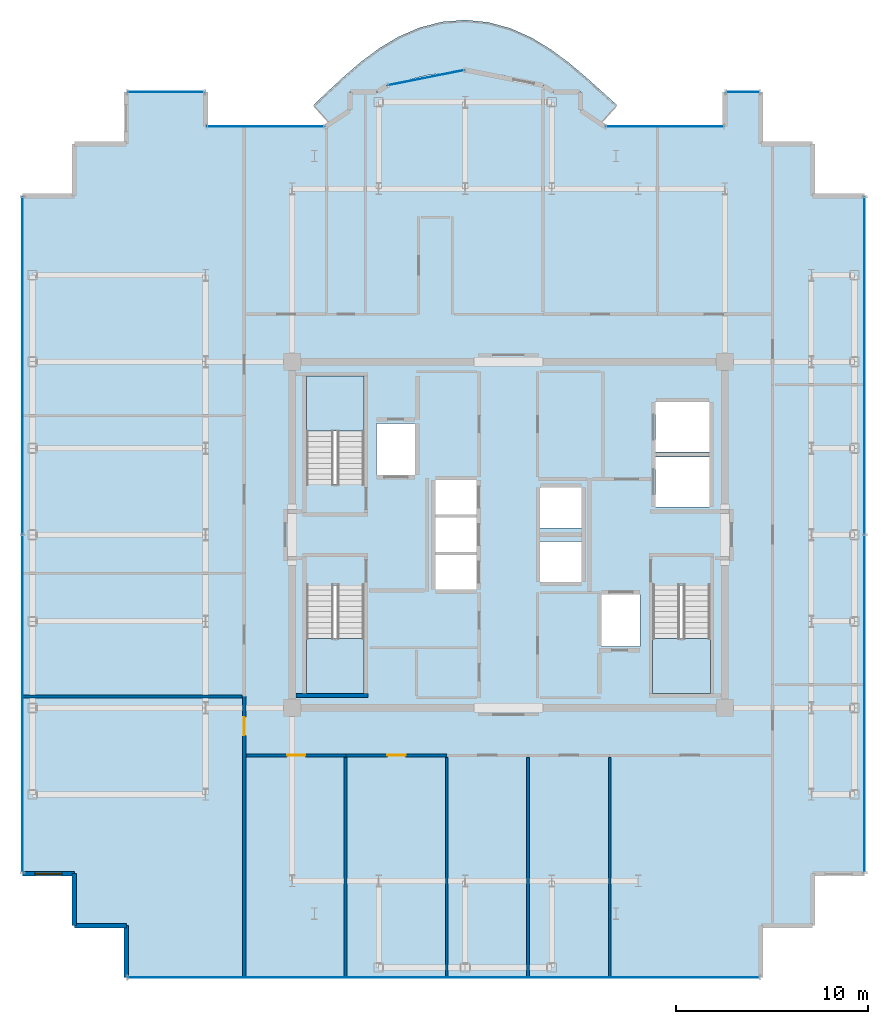
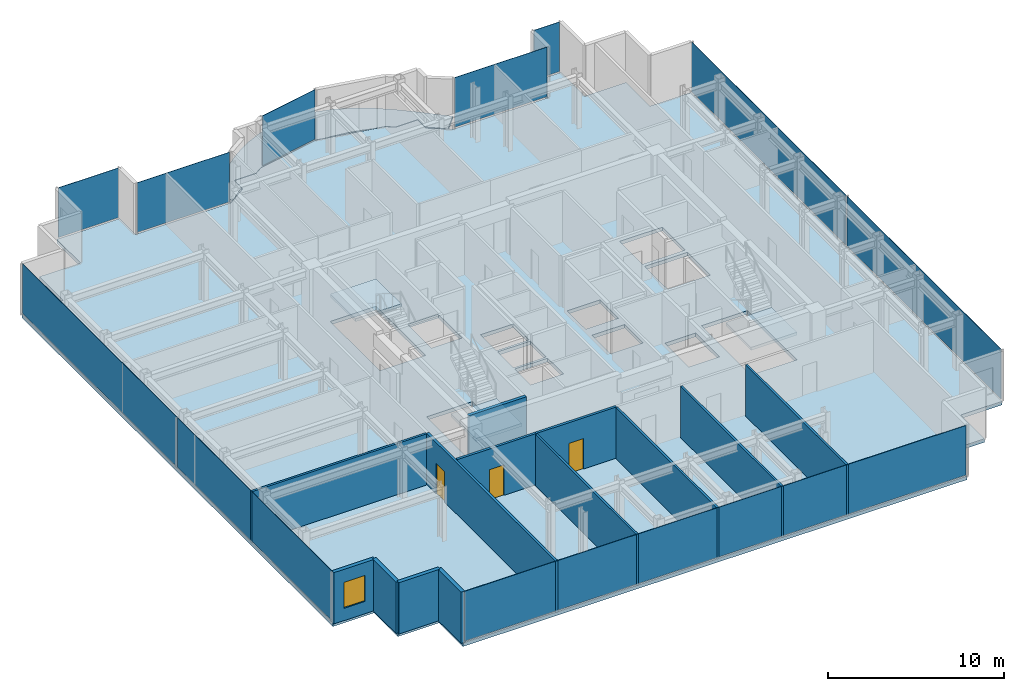
# One storey, part 12 of 18: 13 walls, 10 plates, 5 slabs, 3 doors, 1 window, 4 openings, 11 elements without a shape of their own.
"""IFC4 building model written with IfcOpenShell, lengths in metres."""

import ifcopenshell
import ifcopenshell.guid

model = None  # the IFC model being written
_history = None  # IfcOwnerHistory: only IFC2X3 demands one
_inside = {}  # id of a spatial element -> (the spatial element, [elements in it])
_under = {}  # id of a project, library or spatial element -> (it, [spatial elements below it])
_declared = {}  # id of a project -> (the project, [libraries it declares])
_typed = {}  # id of a type object -> (the type object, [elements of that type])
_made_of = {}  # id of a material, layer set ... -> (it, [elements and type objects made of it])


def new_model(schema):
    """Start an empty IFC model of exactly this schema.

    Asked for "IFC4X3", IfcOpenShell would pick the latest addendum, in which some entities
    have other attributes; the version numbers below select the first issue.
    IFC2X3 requires an IfcOwnerHistory on every rooted entity: one is made here for all.
    """
    global model, _history
    if schema == "IFC4X3":
        model = ifcopenshell.file(schema_version=(4, 3, 0, 0))
    else:
        model = ifcopenshell.file(schema=schema)
    _inside.clear()
    _under.clear()
    _declared.clear()
    _typed.clear()
    _made_of.clear()
    _history = None
    if model.schema == "IFC2X3":
        org = make("IfcOrganization", Name="unknown")
        user = make(
            "IfcPersonAndOrganization",
            ThePerson=make("IfcPerson", FamilyName="unknown"),
            TheOrganization=org,
        )
        app = make(
            "IfcApplication",
            ApplicationDeveloper=org,
            Version="unknown",
            ApplicationFullName="unknown",
            ApplicationIdentifier="unknown",
        )
        _history = make(
            "IfcOwnerHistory",
            OwningUser=user,
            OwningApplication=app,
            ChangeAction="ADDED",
            CreationDate=0,
        )
    return model


def make(cls, **values):
    """One entity of the class cls with the attributes given. An attribute that is None is left unset."""
    return model.create_entity(
        cls, **{name: value for name, value in values.items() if value is not None}
    )


def rooted(cls, **values):
    """An entity with a GlobalId (a new one), such as an element, a storey or a relation."""
    return make(cls, GlobalId=ifcopenshell.guid.new(), OwnerHistory=_history, **values)


def si_unit(unit_type, name, prefix=None):
    """IfcSIUnit, for example si_unit("LENGTHUNIT", "METRE", prefix="MILLI")."""
    return make("IfcSIUnit", UnitType=unit_type, Prefix=prefix, Name=name)


def assignment(units):
    """IfcUnitAssignment: the units of a project."""
    return None if units is None else make("IfcUnitAssignment", Units=units)


def point(xyz):
    """IfcCartesianPoint."""
    return None if xyz is None else make("IfcCartesianPoint", Coordinates=xyz)


def direction(xyz):
    """IfcDirection."""
    return None if xyz is None else make("IfcDirection", DirectionRatios=xyz)


def frame(location, z_axis=None, x_axis=None):
    """IfcAxis2Placement3D, a coordinate frame: its origin and axes. An axis left out is left unset."""
    return make(
        "IfcAxis2Placement3D",
        Location=point(location),
        Axis=direction(z_axis),
        RefDirection=direction(x_axis),
    )


def frame_2d(location, x_axis=None):
    """IfcAxis2Placement2D, a coordinate frame in the plane: its origin and x axis."""
    return make(
        "IfcAxis2Placement2D", Location=point(location), RefDirection=direction(x_axis)
    )


def origin():
    """The frame at (0, 0, 0) with its axes left unset."""
    return frame((0.0, 0.0, 0.0))


def origin_2d():
    """The frame at (0, 0) in the plane with its x axis left unset."""
    return frame_2d((0.0, 0.0))


def place(relative_to, where):
    """IfcLocalPlacement: puts the frame where relative to a parent placement (None: the world)."""
    return make(
        "IfcLocalPlacement", PlacementRelTo=relative_to, RelativePlacement=where
    )


def context(
    kind, dimensions, precision=None, world=None, true_north=None, identifier=None
):
    """IfcGeometricRepresentationContext, for example the 3D "Model" context."""
    return make(
        "IfcGeometricRepresentationContext",
        ContextIdentifier=identifier,
        ContextType=kind,
        CoordinateSpaceDimension=dimensions,
        Precision=precision,
        WorldCoordinateSystem=world,
        TrueNorth=true_north,
    )


def subcontext(parent, identifier, kind, view, scale=None):
    """IfcGeometricRepresentationSubContext, for example "Body" below "Model"."""
    return make(
        "IfcGeometricRepresentationSubContext",
        ContextIdentifier=identifier,
        ContextType=kind,
        ParentContext=parent,
        TargetScale=scale,
        TargetView=view,
    )


def project(units=None, contexts=None):
    """IfcProject with its units and contexts."""
    return rooted(
        "IfcProject",
        Name="project",
        RepresentationContexts=contexts,
        UnitsInContext=assignment(units),
    )


def spatial(cls, under=None, at=None, **own):
    """A site, building, storey or space (cls), placed at a placement, below another one or the project."""
    s = rooted(cls, ObjectPlacement=at, **own)
    if under is not None:
        _under.setdefault(under.id(), (under, []))[1].append(s)
    return s


def polyline(points):
    """IfcPolyline through the points."""
    return make("IfcPolyline", Points=[point(p) for p in points])


def profile(cls, at=None, kind="AREA", **sizes):
    """A parametric profile (cls). Its sizes go by their IFC names, for example OverallWidth=200.0."""
    return make(cls, ProfileType=kind, Position=at, **sizes)


def rectangle(**sizes):
    """IfcRectangleProfileDef."""
    return profile("IfcRectangleProfileDef", **sizes)


def outline(outer, holes=None, kind="AREA"):
    """IfcArbitraryClosedProfileDef: a profile drawn as a closed curve; with holes, ...WithVoids."""
    if holes is None:
        return make("IfcArbitraryClosedProfileDef", ProfileType=kind, OuterCurve=outer)
    return make(
        "IfcArbitraryProfileDefWithVoids",
        ProfileType=kind,
        OuterCurve=outer,
        InnerCurves=holes,
    )


def extrude(swept, where, along, depth):
    """IfcExtrudedAreaSolid: the profile swept, set in the frame where, extruded along a direction by depth."""
    return make(
        "IfcExtrudedAreaSolid",
        SweptArea=swept,
        Position=where,
        ExtrudedDirection=direction(along),
        Depth=depth,
    )


def shape(context_of_items, identifier, shape_type, items):
    """IfcShapeRepresentation: the items that make up one representation, for example the "Body"."""
    return make(
        "IfcShapeRepresentation",
        ContextOfItems=context_of_items,
        RepresentationIdentifier=identifier,
        RepresentationType=shape_type,
        Items=items,
    )


def source(mapping_origin, context_of_items, identifier, shape_type, items):
    """IfcRepresentationMap: a shape defined once, which mapped items show again and again."""
    return make(
        "IfcRepresentationMap",
        MappingOrigin=mapping_origin,
        MappedRepresentation=shape(context_of_items, identifier, shape_type, items),
    )


def transform(
    local_origin,
    x_axis=None,
    y_axis=None,
    z_axis=None,
    scale=None,
    scale2=None,
    scale3=None,
    uniform=True,
):
    """IfcCartesianTransformationOperator3D, or its non-uniform kind. x_axis, y_axis, z_axis: its Axis1, 2, 3."""
    if uniform:
        return make(
            "IfcCartesianTransformationOperator3D",
            Axis1=direction(x_axis),
            Axis2=direction(y_axis),
            LocalOrigin=point(local_origin),
            Scale=scale,
            Axis3=direction(z_axis),
        )
    return make(
        "IfcCartesianTransformationOperator3DnonUniform",
        Axis1=direction(x_axis),
        Axis2=direction(y_axis),
        LocalOrigin=point(local_origin),
        Scale=scale,
        Axis3=direction(z_axis),
        Scale2=scale2,
        Scale3=scale3,
    )


def mapped(mapping_source, mapping_target):
    """IfcMappedItem: shows the shape of a source again, moved by a transform."""
    return make(
        "IfcMappedItem", MappingSource=mapping_source, MappingTarget=mapping_target
    )


def material(Name=None, Category=None):
    """IfcMaterial."""
    return make("IfcMaterial", Name=Name, Category=Category)


def layer(
    of_material, thickness, ventilated=None, Name=None, Category=None, Priority=None
):
    """IfcMaterialLayer: one layer of a wall or slab, of a material (None: an air gap)."""
    return make(
        "IfcMaterialLayer",
        Material=of_material,
        LayerThickness=thickness,
        IsVentilated=ventilated,
        Name=Name,
        Category=Category,
        Priority=Priority,
    )


def layer_set(layers, Name=None):
    """IfcMaterialLayerSet."""
    return make("IfcMaterialLayerSet", MaterialLayers=layers, LayerSetName=Name)


def made_of(thing, what):
    """Note that an element or type object is made of a material, layer set ...; save() writes the relation."""
    if what is not None:
        _made_of.setdefault(what.id(), (what, []))[1].append(thing)
    return thing


def type_object(cls, material=None, **own):
    """A type object (cls), such as IfcWallType, which elements share."""
    return made_of(rooted(cls, **own), material)


def element(
    cls,
    number,
    at=None,
    inside=None,
    cuts=None,
    type_object=None,
    material=None,
    context=None,
    identifier="Body",
    shape_type=None,
    held_by="IfcProductDefinitionShape",
    body=None,
    shapes=None,
    **own,
):
    """One element of the class cls, such as IfcWall. Its Tag is "e" and its number.

    at: its placement. inside: the storey or other place that contains it. cuts: it is an
    opening in that element (IfcRelVoidsElement). A single representation is given by context,
    identifier, shape_type and body (its items); several are given by shapes. held_by: the class
    of the entity that holds the representations. save() writes the other relations.
    """
    e = rooted(cls, Tag="e%d" % number, ObjectPlacement=at, **own)
    if body is not None:
        shapes = [shape(context, identifier, shape_type, body)]
    if shapes is not None:
        e.Representation = make(held_by, Representations=shapes)
    if inside is not None:
        _inside.setdefault(inside.id(), (inside, []))[1].append(e)
    if cuts is not None:
        rooted(
            "IfcRelVoidsElement", RelatingBuildingElement=cuts, RelatedOpeningElement=e
        )
    if type_object is not None:
        _typed.setdefault(type_object.id(), (type_object, []))[1].append(e)
    return made_of(e, material)


def fill(opening, filler):
    """IfcRelFillsElement: the door or window that sits in an opening."""
    return rooted(
        "IfcRelFillsElement",
        RelatingOpeningElement=opening,
        RelatedBuildingElement=filler,
    )


def aggregate(whole, parts):
    """IfcRelAggregates: a whole, such as a stair, and the parts it consists of."""
    return rooted("IfcRelAggregates", RelatingObject=whole, RelatedObjects=parts)


def save(model, path):
    """Write the relations noted so far, then the file.

    IfcRelAggregates (storeys below a building ...), IfcRelContainedInSpatialStructure (elements
    in a storey), IfcRelDefinesByType, IfcRelAssociatesMaterial and IfcRelDeclares: one each for
    every whole, place, type object, material and project.
    """
    for whole, parts in _under.values():
        aggregate(whole, parts)
    for where, things in _inside.values():
        rooted(
            "IfcRelContainedInSpatialStructure",
            RelatedElements=things,
            RelatingStructure=where,
        )
    for kind, things in _typed.values():
        rooted("IfcRelDefinesByType", RelatedObjects=things, RelatingType=kind)
    for what, things in _made_of.values():
        rooted("IfcRelAssociatesMaterial", RelatedObjects=things, RelatingMaterial=what)
    for by, libraries in _declared.values():
        rooted("IfcRelDeclares", RelatingContext=by, RelatedDefinitions=libraries)
    model.write(path)


model = new_model("IFC4")

# Units and contexts
model_context = context("Model", 3, precision=1e-05, world=origin(), true_north=direction((0.0, 1.0)))
body_context = subcontext(model_context, "Body", "Model", "MODEL_VIEW")
ifc_project = project(units=[si_unit("LENGTHUNIT", "METRE"), si_unit("AREAUNIT", "SQUARE_METRE"), si_unit("VOLUMEUNIT", "CUBIC_METRE"), si_unit("PLANEANGLEUNIT", "RADIAN"), si_unit("MASSUNIT", "GRAM", prefix="KILO")], contexts=[model_context])

# Site, building, storey
site_placement = place(None, origin())
site = spatial("IfcSite", under=ifc_project, at=site_placement, CompositionType="ELEMENT")
building_placement = place(site_placement, origin())
building = spatial("IfcBuilding", under=site, at=building_placement, Name="Nefas-Gora Pilgrimage Tower", CompositionType="ELEMENT")
storey_placement = place(building_placement, frame((0.0, 0.0, 326.199951171875)))
storey = spatial("IfcBuildingStorey", under=building, at=storey_placement, Name="L82", CompositionType="ELEMENT", Elevation=326.199951171875)

# Slabs
ifc_material_1 = material(Name="Concrete C40/50", Category="concrete")
ifc_layer_1 = layer(ifc_material_1, 0.219970703125)
ifc_layer_set_1 = layer_set([ifc_layer_1], Name="Concrete C40/50")
slab_type_1 = type_object("IfcSlabType", Name="SLB-BAL-P6", PredefinedType="FLOOR", material=ifc_layer_set_1)
slab_1_placement = place(storey_placement, frame((0.0, 0.0, -0.219970703125)))
element("IfcSlab", 1, at=slab_1_placement, inside=storey, type_object=slab_type_1, Name="L82 Sinusoidal Lobe Balcony Slab N (Phase 6)", PredefinedType="FLOOR", context=body_context, shape_type="SweptSolid", body=[
    extrude(outline(polyline([(-9.28759765625, 21.385986328125), (-9.224609375, 21.427978515625), (-8.538330078125, 21.9912109375), (-8.260009765625, 22.179931640625), (-8.260009765625, 23.02001953125), (-8.260009765625, 23.02099609375), (-8.259765625, 23.02197265625), (-8.259521484375, 23.02294921875), (-8.25927734375, 23.023681640625), (-8.2587890625, 23.024658203125), (-8.25830078125, 23.025634765625), (-8.2578125, 23.0263671875), (-8.257080078125, 23.027099609375), (-8.25634765625, 23.027587890625), (-8.255615234375, 23.0283203125), (-8.254638671875, 23.02880859375), (-8.25390625, 23.029296875), (-8.2529296875, 23.029541015625), (-8.251953125, 23.02978515625), (-8.2509765625, 23.030029296875), (-8.25, 23.030029296875), (-6.8271484375, 23.030029296875), (-6.31298828125, 23.37353515625), (-6.31201171875, 23.3740234375), (-6.311279296875, 23.37451171875), (-6.310302734375, 23.375), (-6.309326171875, 23.375), (-5.63037109375, 23.51025390625), (-5.102783203125, 23.685302734375), (-4.165283203125, 23.904052734375), (-3.211669921875, 24.035888671875), (-2.919921875, 24.04931640625), (-2.251953125, 24.18212890625), (-2.2509765625, 24.182373046875), (-2.25, 24.182373046875), (-2.2490234375, 24.182373046875), (-2.248046875, 24.18212890625), (-1.580078125, 24.04931640625), (-1.288330078125, 24.035888671875), (-0.334716796875, 23.904052734375), (0.602783203125, 23.685302734375), (1.13037109375, 23.51025390625), (1.809326171875, 23.375), (1.810302734375, 23.375), (1.811279296875, 23.37451171875), (1.81201171875, 23.3740234375), (1.81298828125, 23.37353515625), (2.3271484375, 23.030029296875), (3.75, 23.030029296875), (3.7509765625, 23.030029296875), (3.751953125, 23.02978515625), (3.7529296875, 23.029541015625), (3.75390625, 23.029296875), (3.754638671875, 23.02880859375), (3.755615234375, 23.0283203125), (3.75634765625, 23.027587890625), (3.757080078125, 23.027099609375), (3.7578125, 23.0263671875), (3.75830078125, 23.025634765625), (3.7587890625, 23.024658203125), (3.75927734375, 23.023681640625), (3.759521484375, 23.02294921875), (3.759765625, 23.02197265625), (3.760009765625, 23.02099609375), (3.760009765625, 23.02001953125), (3.760009765625, 22.179931640625), (4.038330078125, 21.9912109375), (4.724609375, 21.427978515625), (4.78759765625, 21.385986328125), (5.645751953125, 22.339111328125), (4.84130859375, 23.06640625), (4.02001953125, 23.801513671875), (3.15576171875, 24.53173828125), (2.224365234375, 25.226318359375), (1.211181640625, 25.84228515625), (0.115234375, 26.33203125), (-1.048095703125, 26.6513671875), (-2.25, 26.769287109375), (-3.4541015625, 26.67333984375), (-4.622802734375, 26.3720703125), (-5.7255859375, 25.8935546875), (-6.7451171875, 25.280517578125), (-7.6796875, 24.580322265625), (-8.5419921875, 23.837646484375), (-9.355712890625, 23.085693359375), (-10.1474609375, 22.3408203125), (-9.28759765625, 21.385986328125)])), origin(), (0.0, 0.0, 1.0), 0.219970703125),
])
ifc_layer_2 = layer(ifc_material_1, 0.25)
ifc_layer_set_2 = layer_set([ifc_layer_2], Name="Concrete C40/50")
slab_type_2 = type_object("IfcSlabType", Name="SLB-TWR-260", PredefinedType="FLOOR", material=ifc_layer_set_2)
slab_2_placement = place(storey_placement, frame((0.0, 0.0, -0.25)))
element("IfcSlab", 2, at=slab_2_placement, inside=storey, type_object=slab_type_2, Name="L82 Structural Floor Slab", PredefinedType="FLOOR", context=body_context, shape_type="SweptSolid", body=[
    extrude(outline(polyline([(15.820068359375, -17.6201171875), (18.52001953125, -17.6201171875), (18.52001953125, 17.6201171875), (15.820068359375, 17.6201171875), (15.820068359375, 20.320068359375), (13.1201171875, 20.320068359375), (13.1201171875, 23.02001953125), (11.25, 23.02001953125), (11.25, 21.219970703125), (5.01806640625, 21.219970703125), (3.75, 22.0673828125), (3.75, 23.02001953125), (2.32421875, 23.02001953125), (1.807373046875, 23.365234375), (-2.25, 24.17236328125), (-6.307373046875, 23.365234375), (-6.82421875, 23.02001953125), (-8.25, 23.02001953125), (-8.25, 22.0673828125), (-9.51806640625, 21.219970703125), (-15.75, 21.219970703125), (-15.75, 23.02001953125), (-19.8701171875, 23.02001953125), (-19.8701171875, 20.320068359375), (-22.570068359375, 20.320068359375), (-22.570068359375, 17.6201171875), (-25.27001953125, 17.6201171875), (-25.27001953125, -17.6201171875), (-22.570068359375, -17.6201171875), (-22.570068359375, -20.320068359375), (-19.8701171875, -20.320068359375), (-19.8701171875, -23.02001953125), (13.1201171875, -23.02001953125), (13.1201171875, -20.320068359375), (15.820068359375, -20.320068359375), (15.820068359375, -17.6201171875)]), holes=[polyline([(-10.5, 2.639892578125), (-10.5, 8.25), (-7.5, 8.25), (-7.5, 2.639892578125), (-10.5, 2.639892578125)]), polyline([(10.5, -2.639892578125), (10.5, -8.25), (7.5, -8.25), (7.5, -2.639892578125), (10.5, -2.639892578125)]), polyline([(-7.5, -2.639892578125), (-7.5, -8.25), (-10.5, -8.25), (-10.5, -2.639892578125), (-7.5, -2.639892578125)]), polyline([(-6.85009765625, 5.800048828125), (-4.85009765625, 5.800048828125), (-4.85009765625, 3.10009765625), (-6.85009765625, 3.10009765625), (-6.85009765625, 5.800048828125)]), polyline([(4.85009765625, -3.10009765625), (6.85009765625, -3.10009765625), (6.85009765625, -5.800048828125), (4.85009765625, -5.800048828125), (4.85009765625, -3.10009765625)]), polyline([(7.64990234375, 4.050048828125), (10.449951171875, 4.050048828125), (10.449951171875, 1.449951171875), (7.64990234375, 1.449951171875), (7.64990234375, 4.050048828125)]), polyline([(7.64990234375, 6.89990234375), (10.449951171875, 6.89990234375), (10.449951171875, 4.300048828125), (7.64990234375, 4.300048828125), (7.64990234375, 6.89990234375)]), polyline([(-3.800048828125, -1.050048828125), (-1.64990234375, -1.050048828125), (-1.64990234375, -2.85009765625), (-3.800048828125, -2.85009765625), (-3.800048828125, -1.050048828125)]), polyline([(-3.800048828125, 0.89990234375), (-1.64990234375, 0.89990234375), (-1.64990234375, -0.89990234375), (-3.800048828125, -0.89990234375), (-3.800048828125, 0.89990234375)]), polyline([(-3.800048828125, 2.85009765625), (-1.64990234375, 2.85009765625), (-1.64990234375, 1.050048828125), (-3.800048828125, 1.050048828125), (-3.800048828125, 2.85009765625)]), polyline([(1.64990234375, -0.35009765625), (3.800048828125, -0.35009765625), (3.800048828125, -2.449951171875), (1.64990234375, -2.449951171875), (1.64990234375, -0.35009765625)]), polyline([(1.64990234375, 2.449951171875), (3.800048828125, 2.449951171875), (3.800048828125, 0.35009765625), (1.64990234375, 0.35009765625), (1.64990234375, 2.449951171875)])]), origin(), (0.0, 0.0, 1.0), 0.25),
])

# Stair, slab
ifc_material_2 = material(Name="Concrete C45/55", Category="concrete")
stair_type = type_object("IfcStairType", Name="STR-1400-R1727", PredefinedType="HALF_TURN_STAIR", material=ifc_material_2)
stair_1_placement = place(storey_placement, origin())
stair_1 = element("IfcStair", 3, at=stair_1_placement, inside=storey, type_object=stair_type, Name="L82 Pressurised Tower Exit Stair ST-01", PredefinedType="HALF_TURN_STAIR")
ifc_layer_3 = layer(ifc_material_1, 0.199951171875)
ifc_layer_set_3 = layer_set([ifc_layer_3], Name="Concrete C40/50")
slab_type_3 = type_object("IfcSlabType", Name="STR-LAND-200", PredefinedType="LANDING", material=ifc_layer_set_3)
slab_3_placement = place(storey_placement, frame((0.0, 0.0, 1.699951171875)))
slab_3 = element("IfcSlab", 4, at=slab_3_placement, type_object=slab_type_3, Name="ST-01 landing 1", PredefinedType="LANDING", context=body_context, shape_type="SweptSolid", body=[
    extrude(outline(polyline([(-7.5, 5.39990234375), (-7.5, 8.25), (-10.5, 8.25), (-10.5, 5.39990234375), (-7.5, 5.39990234375)])), origin(), (0.0, 0.0, 1.0), 0.2001953125),
])
aggregate(stair_1, [slab_3])

stair_2_placement = place(storey_placement, origin())
stair_2 = element("IfcStair", 5, at=stair_2_placement, inside=storey, type_object=stair_type, Name="L82 Pressurised Tower Exit Stair ST-02", PredefinedType="HALF_TURN_STAIR")
slab_4_placement = place(storey_placement, frame((0.0, 0.0, 1.699951171875)))
slab_4 = element("IfcSlab", 6, at=slab_4_placement, type_object=slab_type_3, Name="ST-02 landing 1", PredefinedType="LANDING", context=body_context, shape_type="SweptSolid", body=[
    extrude(outline(polyline([(7.5, -5.39990234375), (7.5, -8.25), (10.5, -8.25), (10.5, -5.39990234375), (7.5, -5.39990234375)])), origin(), (0.0, 0.0, 1.0), 0.2001953125),
])
aggregate(stair_2, [slab_4])

stair_3_placement = place(storey_placement, origin())
stair_3 = element("IfcStair", 7, at=stair_3_placement, inside=storey, type_object=stair_type, Name="L82 Pressurised Tower Exit Stair ST-03", PredefinedType="HALF_TURN_STAIR")
slab_5_placement = place(storey_placement, frame((0.0, 0.0, 1.699951171875)))
slab_5 = element("IfcSlab", 8, at=slab_5_placement, type_object=slab_type_3, Name="ST-03 landing 1", PredefinedType="LANDING", context=body_context, shape_type="SweptSolid", body=[
    extrude(outline(polyline([(-10.5, -5.39990234375), (-10.5, -8.25), (-7.5, -8.25), (-7.5, -5.39990234375), (-10.5, -5.39990234375)])), origin(), (0.0, 0.0, 1.0), 0.2001953125),
])
aggregate(stair_3, [slab_5])

# Curtain wall, plate
ifc_material_3 = material(Name="Dark ceramic-fritted solar-control aluminium-glass curtain wall", Category="aluminium")
ifc_layer_4 = layer(ifc_material_3, 0.219970703125)
ifc_layer_set_4 = layer_set([ifc_layer_4], Name="Dark ceramic-fritted solar-control aluminium-glass curtain wall")
curtain_wall_type_1 = type_object("IfcCurtainWallType", Name="CW-SYS-5", PredefinedType="NOTDEFINED", material=ifc_layer_set_4)
curtain_wall_1_placement = place(storey_placement, origin())
curtain_wall_1 = element("IfcCurtainWall", 9, at=curtain_wall_1_placement, inside=storey, type_object=curtain_wall_type_1, Name="L82 Unitised Curtain Wall CW5", PredefinedType="NOTDEFINED")
ifc_material_4 = material(Name="Dark ceramic-printed low-e insulated glass", Category="glass")
ifc_layer_5 = layer(ifc_material_4, 0.028076171875)
ifc_layer_set_5 = layer_set([ifc_layer_5], Name="Dark ceramic-printed low-e insulated glass")
plate_type_1 = type_object("IfcPlateType", Name="CWP-PNL-5", PredefinedType="CURTAIN_PANEL", material=ifc_layer_set_5)
shared_shape_1 = source(origin(), body_context, "Body", "SweptSolid", [
    extrude(rectangle(XDim=6.052001953125, YDim=0.028076171875, at=origin_2d()), origin(), (0.0, 0.0, 1.0), 3.43994140625),
])
plate_1_placement = place(storey_placement, frame((8.134033203125, 21.219970703125, 0.10009765625), z_axis=(0.0, 0.0, 1.0), x_axis=(-1.0, 0.0, 0.0)))
plate_1 = element("IfcPlate", 10, at=plate_1_placement, type_object=plate_type_1, Name="CW5 Ceramic-Fritted Glazing Panel 1", PredefinedType="CURTAIN_PANEL", context=body_context, shape_type="MappedRepresentation", body=[
    mapped(shared_shape_1, transform((0.0, 0.0, 0.0), x_axis=(1.0, 0.0, 0.0), y_axis=(0.0, 1.0, 0.0), z_axis=(0.0, 0.0, 1.0), scale=1.0)),
])
aggregate(curtain_wall_1, [plate_1])

curtain_wall_2_placement = place(storey_placement, origin())
curtain_wall_2 = element("IfcCurtainWall", 11, at=curtain_wall_2_placement, inside=storey, type_object=curtain_wall_type_1, Name="L82 Unitised Curtain Wall CW5", PredefinedType="NOTDEFINED")
plate_2_placement = place(storey_placement, frame((-12.634033203125, 21.219970703125, 0.10009765625), z_axis=(0.0, 0.0, 1.0), x_axis=(-1.0, 0.0, 0.0)))
plate_2 = element("IfcPlate", 12, at=plate_2_placement, type_object=plate_type_1, Name="CW5 Ceramic-Fritted Glazing Panel 1", PredefinedType="CURTAIN_PANEL", context=body_context, shape_type="MappedRepresentation", body=[
    mapped(shared_shape_1, transform((0.0, 0.0, 0.0), x_axis=(1.0, 0.0, 0.0), y_axis=(0.0, 1.0, 0.0), z_axis=(0.0, 0.0, 1.0), scale=1.0)),
])
aggregate(curtain_wall_2, [plate_2])

curtain_wall_3_placement = place(storey_placement, origin())
curtain_wall_3 = element("IfcCurtainWall", 13, at=curtain_wall_3_placement, inside=storey, type_object=curtain_wall_type_1, Name="L82 Unitised Curtain Wall CW5", PredefinedType="NOTDEFINED")
shared_shape_2 = source(origin(), body_context, "Body", "SweptSolid", [
    extrude(rectangle(XDim=3.956787109375, YDim=0.028076171875, at=origin_2d()), origin(), (0.0, 0.0, 1.0), 3.43994140625),
])
plate_3_placement = place(storey_placement, frame((-4.278564453125, 23.768798828125, 0.10009765625), z_axis=(0.0, 0.0, 1.0), x_axis=(-0.980782896852, -0.195102304554, 0.0)))
plate_3 = element("IfcPlate", 14, at=plate_3_placement, type_object=plate_type_1, Name="CW5 Ceramic-Fritted Glazing Panel 1", PredefinedType="CURTAIN_PANEL", context=body_context, shape_type="MappedRepresentation", body=[
    mapped(shared_shape_2, transform((0.0, 0.0, 0.0), x_axis=(1.0, 0.0, 0.0), y_axis=(0.0, 1.0, 0.0), z_axis=(0.0, 0.0, 1.0), scale=1.0)),
])
aggregate(curtain_wall_3, [plate_3])

ifc_layer_6 = layer(ifc_material_3, 0.219970703125)
ifc_layer_set_6 = layer_set([ifc_layer_6], Name="Dark ceramic-fritted solar-control aluminium-glass curtain wall")
curtain_wall_type_2 = type_object("IfcCurtainWallType", Name="CW-SYS-4", PredefinedType="NOTDEFINED", material=ifc_layer_set_6)
curtain_wall_4_placement = place(storey_placement, origin())
curtain_wall_4 = element("IfcCurtainWall", 15, at=curtain_wall_4_placement, inside=storey, type_object=curtain_wall_type_2, Name="L82 Unitised Curtain Wall CW4", PredefinedType="NOTDEFINED")
ifc_layer_7 = layer(ifc_material_4, 0.030029296875)
ifc_layer_set_7 = layer_set([ifc_layer_7], Name="Dark ceramic-printed low-e insulated glass")
plate_type_2 = type_object("IfcPlateType", Name="CWP-PNL-4", PredefinedType="CURTAIN_PANEL", material=ifc_layer_set_7)
shared_shape_3 = source(origin(), body_context, "Body", "SweptSolid", [
    extrude(rectangle(XDim=1.68994140625, YDim=0.030029296875, at=origin_2d()), origin(), (0.0, 0.0, 1.0), 3.43994140625),
])
plate_4_placement = place(storey_placement, frame((12.18505859375, 23.02001953125, 0.10009765625), z_axis=(0.0, 0.0, 1.0), x_axis=(-1.0, 0.0, 0.0)))
plate_4 = element("IfcPlate", 16, at=plate_4_placement, type_object=plate_type_2, Name="CW4 Ceramic-Fritted Glazing Panel 1", PredefinedType="CURTAIN_PANEL", context=body_context, shape_type="MappedRepresentation", body=[
    mapped(shared_shape_3, transform((0.0, 0.0, 0.0), x_axis=(1.0, 0.0, 0.0), y_axis=(0.0, 1.0, 0.0), z_axis=(0.0, 0.0, 1.0), scale=1.0)),
])
aggregate(curtain_wall_4, [plate_4])

curtain_wall_5_placement = place(storey_placement, origin())
curtain_wall_5 = element("IfcCurtainWall", 17, at=curtain_wall_5_placement, inside=storey, type_object=curtain_wall_type_2, Name="L82 Unitised Curtain Wall CW4", PredefinedType="NOTDEFINED")
shared_shape_4 = source(origin(), body_context, "Body", "SweptSolid", [
    extrude(rectangle(XDim=3.93994140625, YDim=0.030029296875, at=origin_2d()), origin(), (0.0, 0.0, 1.0), 3.43994140625),
])
plate_5_placement = place(storey_placement, frame((-17.81005859375, 23.02001953125, 0.10009765625), z_axis=(0.0, 0.0, 1.0), x_axis=(-1.0, 0.0, 0.0)))
plate_5 = element("IfcPlate", 18, at=plate_5_placement, type_object=plate_type_2, Name="CW4 Ceramic-Fritted Glazing Panel 1", PredefinedType="CURTAIN_PANEL", context=body_context, shape_type="MappedRepresentation", body=[
    mapped(shared_shape_4, transform((0.0, 0.0, 0.0), x_axis=(1.0, 0.0, 0.0), y_axis=(0.0, 1.0, 0.0), z_axis=(0.0, 0.0, 1.0), scale=1.0)),
])
aggregate(curtain_wall_5, [plate_5])

curtain_wall_6_placement = place(storey_placement, origin())
curtain_wall_6 = element("IfcCurtainWall", 19, at=curtain_wall_6_placement, inside=storey, type_object=curtain_wall_type_2, Name="L82 Unitised Curtain Wall CW4", PredefinedType="NOTDEFINED")
shared_shape_5 = source(origin(), body_context, "Body", "SweptSolid", [
    extrude(rectangle(XDim=32.81005859375, YDim=0.030029296875, at=origin_2d()), origin(), (0.0, 0.0, 1.0), 3.43994140625),
])
plate_6_placement = place(storey_placement, frame((-3.375, -23.02001953125, 0.10009765625), z_axis=(0.0, 0.0, 1.0), x_axis=(1.0, 0.0, 0.0)))
plate_6 = element("IfcPlate", 20, at=plate_6_placement, type_object=plate_type_2, Name="CW4 Ceramic-Fritted Glazing Panel 1", PredefinedType="CURTAIN_PANEL", context=body_context, shape_type="MappedRepresentation", body=[
    mapped(shared_shape_5, transform((0.0, 0.0, 0.0), x_axis=(1.0, 0.0, 0.0), y_axis=(0.0, 1.0, 0.0), z_axis=(0.0, 0.0, 1.0), scale=1.0)),
])
aggregate(curtain_wall_6, [plate_6])

# Curtain wall, plates
curtain_wall_7_placement = place(storey_placement, origin())
curtain_wall_7 = element("IfcCurtainWall", 21, at=curtain_wall_7_placement, inside=storey, type_object=curtain_wall_type_2, Name="L82 Unitised Curtain Wall CW4", PredefinedType="NOTDEFINED")
shared_shape_6 = source(origin(), body_context, "Body", "SweptSolid", [
    extrude(rectangle(XDim=17.485107421875, YDim=0.030029296875, at=origin_2d()), origin(), (0.0, 0.0, 1.0), 3.43994140625),
])
plate_7_placement = place(storey_placement, frame((18.52001953125, -8.78759765625, 0.10009765625), z_axis=(0.0, 0.0, 1.0), x_axis=(0.0, 1.0, 0.0)))
plate_7 = element("IfcPlate", 22, at=plate_7_placement, type_object=plate_type_2, Name="CW4 Ceramic-Fritted Glazing Panel 1", PredefinedType="CURTAIN_PANEL", context=body_context, shape_type="MappedRepresentation", body=[
    mapped(shared_shape_6, transform((0.0, 0.0, 0.0), x_axis=(1.0, 0.0, 0.0), y_axis=(0.0, 1.0, 0.0), z_axis=(0.0, 0.0, 1.0), scale=1.0)),
])
plate_8_placement = place(storey_placement, frame((18.52001953125, 8.78759765625, 0.10009765625), z_axis=(0.0, 0.0, 1.0), x_axis=(0.0, 1.0, 0.0)))
plate_8 = element("IfcPlate", 23, at=plate_8_placement, type_object=plate_type_2, Name="CW4 Ceramic-Fritted Glazing Panel 2", PredefinedType="CURTAIN_PANEL", context=body_context, shape_type="MappedRepresentation", body=[
    mapped(shared_shape_6, transform((0.0, 0.0, 0.0), x_axis=(1.0, 0.0, 0.0), y_axis=(0.0, 1.0, 0.0), z_axis=(0.0, 0.0, 1.0), scale=1.0)),
])
aggregate(curtain_wall_7, [plate_7, plate_8])

curtain_wall_8_placement = place(storey_placement, origin())
curtain_wall_8 = element("IfcCurtainWall", 24, at=curtain_wall_8_placement, inside=storey, type_object=curtain_wall_type_2, Name="L82 Unitised Curtain Wall CW4", PredefinedType="NOTDEFINED")
plate_9_placement = place(storey_placement, frame((-25.27001953125, 8.78759765625, 0.10009765625), z_axis=(0.0, 0.0, 1.0), x_axis=(0.0, -1.0, 0.0)))
plate_9 = element("IfcPlate", 25, at=plate_9_placement, type_object=plate_type_2, Name="CW4 Ceramic-Fritted Glazing Panel 1", PredefinedType="CURTAIN_PANEL", context=body_context, shape_type="MappedRepresentation", body=[
    mapped(shared_shape_6, transform((0.0, 0.0, 0.0), x_axis=(1.0, 0.0, 0.0), y_axis=(0.0, 1.0, 0.0), z_axis=(0.0, 0.0, 1.0), scale=1.0)),
])
plate_10_placement = place(storey_placement, frame((-25.27001953125, -8.78759765625, 0.10009765625), z_axis=(0.0, 0.0, 1.0), x_axis=(0.0, -1.0, 0.0)))
plate_10 = element("IfcPlate", 26, at=plate_10_placement, type_object=plate_type_2, Name="CW4 Ceramic-Fritted Glazing Panel 2", PredefinedType="CURTAIN_PANEL", context=body_context, shape_type="MappedRepresentation", body=[
    mapped(shared_shape_6, transform((0.0, 0.0, 0.0), x_axis=(1.0, 0.0, 0.0), y_axis=(0.0, 1.0, 0.0), z_axis=(0.0, 0.0, 1.0), scale=1.0)),
])
aggregate(curtain_wall_8, [plate_9, plate_10])

# Wall, opening, window
ifc_material_5 = material(Name="Precast concrete C45/55", Category="concrete")
ifc_layer_8 = layer(ifc_material_5, 0.239990234375)
ifc_layer_set_8 = layer_set([ifc_layer_8], Name="Precast concrete C45/55")
wall_type_1 = type_object("IfcWallType", Name="EW-SERR-240", PredefinedType="SHEAR", material=ifc_layer_set_8)
shared_shape_7 = source(origin(), body_context, "Body", "SweptSolid", [
    extrude(rectangle(XDim=2.699951171875, YDim=0.239990234375, at=frame_2d((1.35009765625, 0.0))), origin(), (0.0, 0.0, 1.0), 3.550048828125),
])
wall_1_placement = place(storey_placement, frame((-25.27001953125, -17.6201171875, 0.0), z_axis=(0.0, 0.0, 1.0), x_axis=(1.0, 0.0, 0.0)))
wall_1 = element("IfcWall", 27, at=wall_1_placement, inside=storey, type_object=wall_type_1, Name="L82 Serrated Corner Shear Pier Wall 21", PredefinedType="SHEAR", context=body_context, shape_type="MappedRepresentation", body=[
    mapped(shared_shape_7, transform((0.0, 0.0, 0.0), x_axis=(1.0, 0.0, 0.0), y_axis=(0.0, 1.0, 0.0), z_axis=(0.0, 0.0, 1.0), scale=1.0)),
])
opening_1_placement = place(wall_1_placement, frame((0.64990234375, 0.0, 0.85009765625)))
opening_1 = element("IfcOpeningElement", 28, at=opening_1_placement, cuts=wall_1, Name="Opening W-V2", PredefinedType="OPENING", context=body_context, shape_type="SweptSolid", body=[
    extrude(rectangle(XDim=1.39990234375, YDim=1.800048828125, at=frame_2d((0.699951171875, 0.89990234375))), frame((0.0, 0.1298828125, 0.0), z_axis=(0.0, -1.0, 0.0), x_axis=(1.0, 0.0, 0.0)), (0.0, 0.0, 1.0), 0.260009765625),
])
ifc_material_6 = material(Name="Dark ceramic-fritted operable aluminium-glass window", Category="aluminium")
window_type = type_object("IfcWindowType", Name="WIN-VENT-1400x1800", PartitioningType="SINGLE_PANEL", PredefinedType="WINDOW", material=ifc_material_6)
shared_shape_8 = source(origin(), body_context, "Body", "SweptSolid", [
    extrude(rectangle(XDim=1.39990234375, YDim=1.800048828125, at=frame_2d((0.699951171875, 0.89990234375))), frame((0.0, 0.030029296875, 0.0), z_axis=(0.0, -1.0, 0.0), x_axis=(1.0, 0.0, 0.0)), (0.0, 0.0, 1.0), 0.06005859375),
])
window_placement = place(opening_1_placement, origin())
window = element("IfcWindow", 29, at=window_placement, inside=storey, type_object=window_type, Name="L82 Operable Parallel-Outswing Window 21", OverallHeight=1.800048828125, OverallWidth=1.39990234375, PartitioningType="SINGLE_PANEL", PredefinedType="WINDOW", context=body_context, shape_type="MappedRepresentation", body=[
    mapped(shared_shape_8, transform((0.0, 0.0, 0.0), x_axis=(1.0, 0.0, 0.0), y_axis=(0.0, 1.0, 0.0), z_axis=(0.0, 0.0, 1.0), scale=1.0)),
])
fill(opening_1, window)

# Walls
for number, where, z_axis, x_axis, name in (
    (30, (-22.570068359375, -17.6201171875, 0.0), (0.0, 0.0, 1.0), (0.0, -1.0, 0.0), "L82 Serrated Corner Shear Pier Wall 22"),
    (31, (-22.570068359375, -20.320068359375, 0.0), (0.0, 0.0, 1.0), (1.0, 0.0, 0.0), "L82 Serrated Corner Shear Pier Wall 23"),
    (32, (-19.8701171875, -20.320068359375, 0.0), (0.0, 0.0, 1.0), (0.0, -1.0, 0.0), "L82 Serrated Corner Shear Pier Wall 24"),
):
    element("IfcWall", number, at=place(storey_placement, frame(where, z_axis=z_axis, x_axis=x_axis)), inside=storey, type_object=wall_type_1, Name=name, PredefinedType="SHEAR", context=body_context, shape_type="MappedRepresentation", body=[
        mapped(shared_shape_7, transform((0.0, 0.0, 0.0), x_axis=(1.0, 0.0, 0.0), y_axis=(0.0, 1.0, 0.0), z_axis=(0.0, 0.0, 1.0), scale=1.0)),
    ])
ifc_layer_9 = layer(ifc_material_2, 0.199951171875)
ifc_layer_set_9 = layer_set([ifc_layer_9], Name="Concrete C45/55")
wall_type_2 = type_object("IfcWallType", Name="IW-STAIR-200", PredefinedType="SOLIDWALL", material=ifc_layer_set_9)
shared_shape_9 = source(origin(), body_context, "Body", "SweptSolid", [
    extrude(rectangle(XDim=3.7548828125, YDim=0.199951171875, at=frame_2d((1.87744140625, 0.0))), origin(), (0.0, 0.0, 1.0), 3.800048828125),
])
wall_2_placement = place(storey_placement, frame((-11.054931640625, -8.35009765625, 0.0), z_axis=(0.0, 0.0, 1.0), x_axis=(1.0, 0.0, 0.0)))
element("IfcWall", 33, at=wall_2_placement, inside=storey, type_object=wall_type_2, Name="L82 Stairwell Shear Wall ST-03-far", PredefinedType="SOLIDWALL", context=body_context, shape_type="MappedRepresentation", body=[
    mapped(shared_shape_9, transform((0.0, 0.0, 0.0), x_axis=(1.0, 0.0, 0.0), y_axis=(0.0, 1.0, 0.0), z_axis=(0.0, 0.0, 1.0), scale=1.0)),
])
ifc_material_7 = material(Name="Gypsum twin-stud partition")
ifc_layer_10 = layer(ifc_material_7, 0.139892578125)
ifc_layer_set_10 = layer_set([ifc_layer_10], Name="Gypsum twin-stud partition")
wall_type_3 = type_object("IfcWallType", Name="IW-UNIT-140", PredefinedType="PARTITIONING", material=ifc_layer_set_10)
shared_shape_10 = source(origin(), body_context, "Body", "SweptSolid", [
    extrude(rectangle(XDim=11.429931640625, YDim=0.139892578125, at=frame_2d((5.71484375, 0.0))), origin(), (0.0, 0.0, 1.0), 3.53515625),
])
wall_3_placement = place(storey_placement, frame((-25.2900390625, -8.405029296875, 0.0), z_axis=(0.0, 0.0, 1.0), x_axis=(1.0, 0.0, 0.0)))
element("IfcWall", 34, at=wall_3_placement, inside=storey, type_object=wall_type_3, Name="L82 Pilgrim Tea and Beverage Pantry Partition Wall 34", PredefinedType="PARTITIONING", context=body_context, shape_type="MappedRepresentation", body=[
    mapped(shared_shape_10, transform((0.0, 0.0, 0.0), x_axis=(1.0, 0.0, 0.0), y_axis=(0.0, 1.0, 0.0), z_axis=(0.0, 0.0, 1.0), scale=1.0)),
])
shared_shape_11 = source(origin(), body_context, "Body", "SweptSolid", [
    extrude(rectangle(XDim=11.449951171875, YDim=0.139892578125, at=frame_2d((5.72509765625, 0.0))), origin(), (0.0, 0.0, 1.0), 3.53515625),
])
for number, where, z_axis, x_axis, name in (
    (35, (-8.469970703125, -23.0400390625, 0.0), (0.0, 0.0, 1.0), (0.0, 1.0, 0.0), "L82 Pilgrim Contemplative Lounge Partition Wall 56"),
    (36, (-3.205078125, -23.0400390625, 0.0), (0.0, 0.0, 1.0), (0.0, 1.0, 0.0), "L82 Pilgrim Contemplative Lounge Partition Wall 58"),
    (37, (5.27001953125, -23.0400390625, 0.0), (0.0, 0.0, 1.0), (0.0, 1.0, 0.0), "L82 Pilgrim Contemplative Lounge Partition Wall 60"),
    (38, (1.017578125, -23.0400390625, 0.0), (0.0, 0.0, 1.0), (0.0, 1.0, 0.0), "L82 Pilgrim Contemplative Lounge Partition Wall 62"),
):
    element("IfcWall", number, at=place(storey_placement, frame(where, z_axis=z_axis, x_axis=x_axis)), inside=storey, type_object=wall_type_3, Name=name, PredefinedType="PARTITIONING", context=body_context, shape_type="MappedRepresentation", body=[
        mapped(shared_shape_11, transform((0.0, 0.0, 0.0), x_axis=(1.0, 0.0, 0.0), y_axis=(0.0, 1.0, 0.0), z_axis=(0.0, 0.0, 1.0), scale=1.0)),
    ])

# Wall, opening, door
ifc_material_8 = material(Name="Gypsum acoustic stud partition")
ifc_layer_11 = layer(ifc_material_8, 0.159912109375)
ifc_layer_set_11 = layer_set([ifc_layer_11], Name="Gypsum acoustic stud partition")
wall_type_4 = type_object("IfcWallType", Name="IW-CORR-160", PredefinedType="PARTITIONING", material=ifc_layer_set_11)
shared_shape_12 = source(origin(), body_context, "Body", "SweptSolid", [
    extrude(rectangle(XDim=14.64501953125, YDim=0.159912109375, at=frame_2d((7.322509765625, 0.0))), origin(), (0.0, 0.0, 1.0), 3.53515625),
])
wall_4_placement = place(storey_placement, frame((-13.739990234375, -23.0400390625, 0.0), z_axis=(0.0, 0.0, 1.0), x_axis=(0.0, 1.0, 0.0)))
wall_4 = element("IfcWall", 39, at=wall_4_placement, inside=storey, type_object=wall_type_4, Name="L82 Pilgrim Tea and Beverage Pantry Partition Wall 33", PredefinedType="PARTITIONING", context=body_context, shape_type="MappedRepresentation", body=[
    mapped(shared_shape_12, transform((0.0, 0.0, 0.0), x_axis=(1.0, 0.0, 0.0), y_axis=(0.0, 1.0, 0.0), z_axis=(0.0, 0.0, 1.0), scale=1.0)),
])
opening_2_placement = place(wall_4_placement, frame((12.612548828125, 0.0, 0.0)))
opening_2 = element("IfcOpeningElement", 40, at=opening_2_placement, cuts=wall_4, Name="Opening ID-GR1", PredefinedType="OPENING", context=body_context, shape_type="SweptSolid", body=[
    extrude(rectangle(XDim=0.949951171875, YDim=2.10009765625, at=frame_2d((0.47509765625, 1.050048828125))), frame((0.0, 0.08984375, 0.0), z_axis=(0.0, -1.0, 0.0), x_axis=(1.0, 0.0, 0.0)), (0.0, 0.0, 1.0), 0.179931640625),
])
ifc_material_9 = material(Name="Solid core oak fire-rated guest entrance door")
door_type = type_object("IfcDoorType", Name="DR-INT-GUEST-950", OperationType="NOTDEFINED", PredefinedType="DOOR", material=ifc_material_9)
shared_shape_13 = source(origin(), body_context, "Body", "SweptSolid", [
    extrude(rectangle(XDim=0.949951171875, YDim=2.10009765625, at=frame_2d((0.47509765625, 1.050048828125))), frame((0.0, 0.02490234375, 0.0), z_axis=(0.0, -1.0, 0.0), x_axis=(1.0, 0.0, 0.0)), (0.0, 0.0, 1.0), 0.050048828125),
])
door_1_placement = place(opening_2_placement, origin())
door_1 = element("IfcDoor", 41, at=door_1_placement, inside=storey, type_object=door_type, Name="L82 Pilgrim Tea and Beverage Pantry Door 14", OperationType="SINGLE_SWING_RIGHT", OverallHeight=2.10009765625, OverallWidth=0.949951171875, PredefinedType="DOOR", context=body_context, shape_type="MappedRepresentation", body=[
    mapped(shared_shape_13, transform((0.0, 0.0, 0.0), x_axis=(1.0, 0.0, 0.0), y_axis=(0.0, 1.0, 0.0), z_axis=(0.0, 0.0, 1.0), scale=1.0)),
])
fill(opening_2, door_1)

shared_shape_14 = source(origin(), body_context, "Body", "SweptSolid", [
    extrude(rectangle(XDim=5.16015625, YDim=0.159912109375, at=frame_2d((2.580078125, 0.0))), origin(), (0.0, 0.0, 1.0), 3.53515625),
])
wall_5_placement = place(storey_placement, frame((-13.6201171875, -11.469970703125, 0.0), z_axis=(0.0, 0.0, 1.0), x_axis=(1.0, 0.0, 0.0)))
wall_5 = element("IfcWall", 42, at=wall_5_placement, inside=storey, type_object=wall_type_4, Name="L82 Pilgrim Contemplative Lounge Partition Wall 55", PredefinedType="PARTITIONING", context=body_context, shape_type="MappedRepresentation", body=[
    mapped(shared_shape_14, transform((0.0, 0.0, 0.0), x_axis=(1.0, 0.0, 0.0), y_axis=(0.0, 1.0, 0.0), z_axis=(0.0, 0.0, 1.0), scale=1.0)),
])
opening_3_placement = place(wall_5_placement, frame((2.10498046875, 0.0, 0.0)))
opening_3 = element("IfcOpeningElement", 43, at=opening_3_placement, cuts=wall_5, Name="Opening ID-GR1", PredefinedType="OPENING", context=body_context, shape_type="SweptSolid", body=[
    extrude(rectangle(XDim=0.949951171875, YDim=2.10009765625, at=frame_2d((0.47509765625, 1.050048828125))), frame((0.0, 0.08984375, 0.0), z_axis=(0.0, -1.0, 0.0), x_axis=(1.0, 0.0, 0.0)), (0.0, 0.0, 1.0), 0.179931640625),
])
door_2_placement = place(opening_3_placement, origin())
door_2 = element("IfcDoor", 44, at=door_2_placement, inside=storey, type_object=door_type, Name="L82 Pilgrim Contemplative Lounge Door 25", OperationType="SINGLE_SWING_LEFT", OverallHeight=2.10009765625, OverallWidth=0.949951171875, PredefinedType="DOOR", context=body_context, shape_type="MappedRepresentation", body=[
    mapped(shared_shape_13, transform((0.0, 0.0, 0.0), x_axis=(1.0, 0.0, 0.0), y_axis=(0.0, 1.0, 0.0), z_axis=(0.0, 0.0, 1.0), scale=1.0)),
])
fill(opening_3, door_2)

shared_shape_15 = source(origin(), body_context, "Body", "SweptSolid", [
    extrude(rectangle(XDim=5.264892578125, YDim=0.159912109375, at=frame_2d((2.63232421875, 0.0))), origin(), (0.0, 0.0, 1.0), 3.53515625),
])
wall_6_placement = place(storey_placement, frame((-8.4599609375, -11.469970703125, 0.0), z_axis=(0.0, 0.0, 1.0), x_axis=(1.0, 0.0, 0.0)))
wall_6 = element("IfcWall", 45, at=wall_6_placement, inside=storey, type_object=wall_type_4, Name="L82 Pilgrim Contemplative Lounge Partition Wall 57", PredefinedType="PARTITIONING", context=body_context, shape_type="MappedRepresentation", body=[
    mapped(shared_shape_15, transform((0.0, 0.0, 0.0), x_axis=(1.0, 0.0, 0.0), y_axis=(0.0, 1.0, 0.0), z_axis=(0.0, 0.0, 1.0), scale=1.0)),
])
opening_4_placement = place(wall_6_placement, frame((2.157470703125, 0.0, 0.0)))
opening_4 = element("IfcOpeningElement", 46, at=opening_4_placement, cuts=wall_6, Name="Opening ID-GR1", PredefinedType="OPENING", context=body_context, shape_type="SweptSolid", body=[
    extrude(rectangle(XDim=0.949951171875, YDim=2.10009765625, at=frame_2d((0.47509765625, 1.050048828125))), frame((0.0, 0.08984375, 0.0), z_axis=(0.0, -1.0, 0.0), x_axis=(1.0, 0.0, 0.0)), (0.0, 0.0, 1.0), 0.179931640625),
])
door_3_placement = place(opening_4_placement, origin())
door_3 = element("IfcDoor", 47, at=door_3_placement, inside=storey, type_object=door_type, Name="L82 Pilgrim Contemplative Lounge Door 26", OperationType="SINGLE_SWING_RIGHT", OverallHeight=2.10009765625, OverallWidth=0.949951171875, PredefinedType="DOOR", context=body_context, shape_type="MappedRepresentation", body=[
    mapped(shared_shape_13, transform((0.0, 0.0, 0.0), x_axis=(1.0, 0.0, 0.0), y_axis=(0.0, 1.0, 0.0), z_axis=(0.0, 0.0, 1.0), scale=1.0)),
])
fill(opening_4, door_3)

save(model, "model.ifc")
